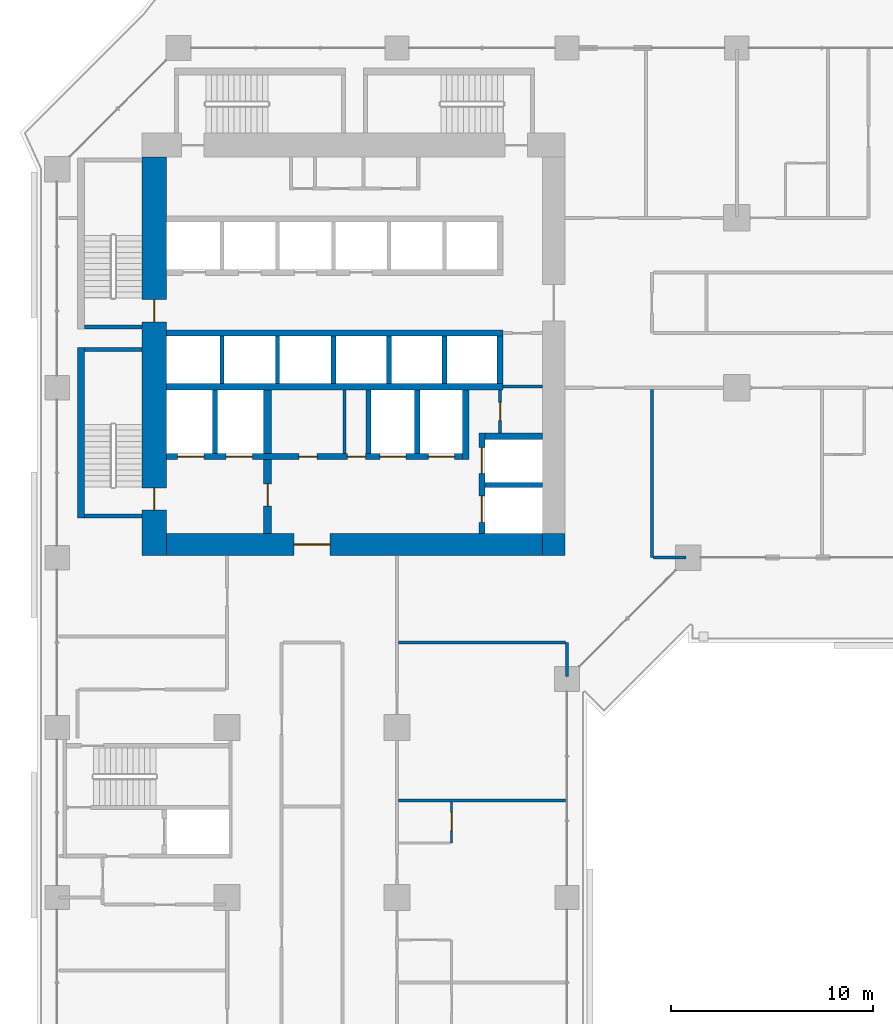
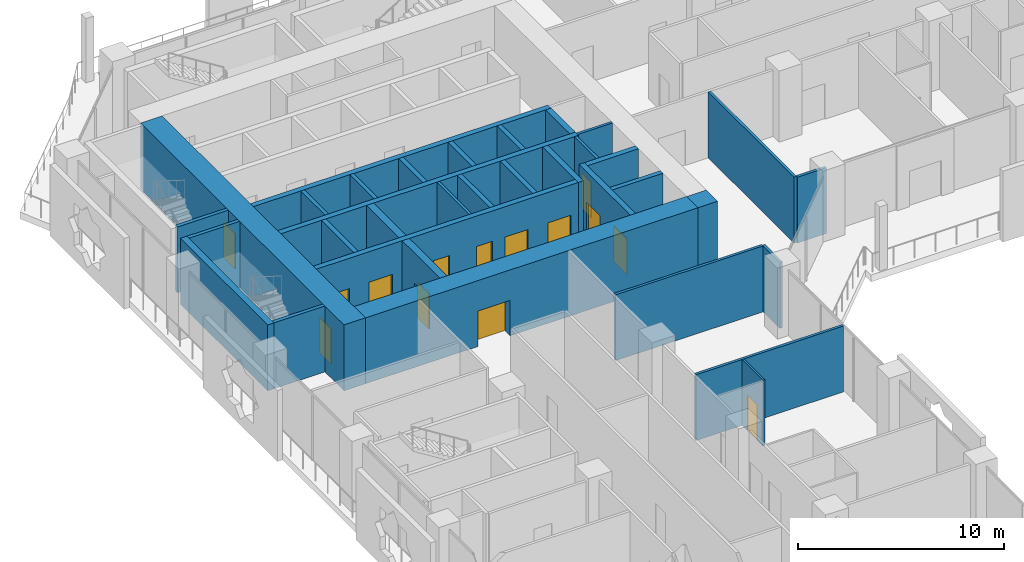
# One storey, part 15 of 26: 34 walls, 14 doors, 14 openings.
"""IFC4 building model written with IfcOpenShell, lengths in metres."""

from ifc_helpers import new_model, si_unit, direction, frame, frame_2d, origin, place, context, subcontext, project, spatial, rectangle, extrude, material, layer, layer_set, type_object, element, fill, save


model = new_model("IFC4")

# Units and contexts
model_context = context("Model", 3, precision=1e-05, world=origin(), true_north=direction((0.0, 1.0)))
body_context = subcontext(model_context, "Body", "Model", "MODEL_VIEW")
ifc_project = project(units=[si_unit("LENGTHUNIT", "METRE"), si_unit("AREAUNIT", "SQUARE_METRE"), si_unit("VOLUMEUNIT", "CUBIC_METRE"), si_unit("PLANEANGLEUNIT", "RADIAN"), si_unit("MASSUNIT", "GRAM", prefix="KILO")], contexts=[model_context])

# Site, building, storey
site_placement = place(None, origin())
site = spatial("IfcSite", under=ifc_project, at=site_placement, CompositionType="ELEMENT")
building_placement = place(site_placement, origin())
building = spatial("IfcBuilding", under=site, at=building_placement, Name="Kawkab Arch Medical Tower", CompositionType="ELEMENT")
storey_placement = place(building_placement, frame((0.0, 0.0, 51.800048828125)))
storey = spatial("IfcBuildingStorey", under=building, at=storey_placement, Name="L11", CompositionType="ELEMENT", Elevation=51.800048828125)

# Wall, opening, door
ifc_material_1 = material(Name="Concrete C60/75", Category="concrete")
ifc_layer_1 = layer(ifc_material_1, 1.10009765625)
ifc_layer_set_1 = layer_set([ifc_layer_1], Name="Concrete C60/75")
wall_type_1 = type_object("IfcWallType", Name="Core ring wall 1100 C60/75", PredefinedType="SHEAR", material=ifc_layer_set_1)
wall_1_placement = place(storey_placement, frame((5.39990234375, -24.550048828125, 0.0), z_axis=(0.0, 0.0, 1.0), x_axis=(1.0, 0.0, 0.0)))
wall_1 = element("IfcWall", 1, at=wall_1_placement, inside=storey, type_object=wall_type_1, Name="L11 core wall", PredefinedType="SHEAR", context=body_context, shape_type="SweptSolid", body=[
    extrude(rectangle(XDim=18.60009765625, YDim=1.10009765625, at=frame_2d((9.300048828125, 0.0))), origin(), (0.0, 0.0, 1.0), 3.89990234375),
])
opening_1_placement = place(wall_1_placement, frame((6.300048828125, 0.0, 0.0)))
opening_1 = element("IfcOpeningElement", 2, at=opening_1_placement, cuts=wall_1, Name="Opening PD", PredefinedType="OPENING", context=body_context, shape_type="SweptSolid", body=[
    extrude(rectangle(XDim=1.800048828125, YDim=2.10009765625, at=frame_2d((0.89990234375, 1.050048828125))), frame((0.0, 0.56005859375, 0.0), z_axis=(0.0, -1.0, 0.0), x_axis=(1.0, 0.0, 0.0)), (0.0, 0.0, 1.0), 1.1201171875),
])
ifc_material_2 = material(Name="Hollow metal fire door leaf")
door_type_1 = type_object("IfcDoorType", Name="Core entrance doors 1800", OperationType="DOUBLE_DOOR_SINGLE_SWING", PredefinedType="DOOR", material=ifc_material_2)
door_1_placement = place(opening_1_placement, origin())
door_1 = element("IfcDoor", 3, at=door_1_placement, inside=storey, type_object=door_type_1, Name="L11 South entrance doors", OperationType="DOUBLE_DOOR_SINGLE_SWING", OverallHeight=2.10009765625, OverallWidth=1.800048828125, PredefinedType="DOOR", context=body_context, shape_type="SweptSolid", body=[
    extrude(rectangle(XDim=1.800048828125, YDim=2.10009765625, at=frame_2d((0.89990234375, 1.050048828125))), frame((0.0, 0.02490234375, 0.0), z_axis=(0.0, -1.0, 0.0), x_axis=(1.0, 0.0, 0.0)), (0.0, 0.0, 1.0), 0.050048828125),
])
fill(opening_1, door_1)

# Wall
wall_2_placement = place(storey_placement, frame((24.550048828125, -25.10009765625, 0.0), z_axis=(0.0, 0.0, 1.0), x_axis=(0.0, 1.0, 0.0)))
element("IfcWall", 4, at=wall_2_placement, inside=storey, type_object=wall_type_1, Name="L11 core wall", PredefinedType="SHEAR", context=body_context, shape_type="SweptSolid", body=[
    extrude(rectangle(XDim=1.10009765625, YDim=1.10009765625, at=frame_2d((0.550048828125, 0.0))), origin(), (0.0, 0.0, 1.0), 3.89990234375),
])

# Wall, openings, doors
ifc_material_3 = material(Name="Concrete C60/75", Category="concrete")
ifc_layer_2 = layer(ifc_material_3, 1.199951171875)
ifc_layer_set_2 = layer_set([ifc_layer_2], Name="Concrete C60/75")
wall_type_2 = type_object("IfcWallType", Name="Core ring wall 1200 C60/75", PredefinedType="SHEAR", material=ifc_layer_set_2)
wall_3_placement = place(storey_placement, frame((4.800048828125, -25.10009765625, 0.0), z_axis=(0.0, 0.0, 1.0), x_axis=(0.0, 1.0, 0.0)))
wall_3 = element("IfcWall", 5, at=wall_3_placement, inside=storey, type_object=wall_type_2, Name="L11 core wall", PredefinedType="SHEAR", context=body_context, shape_type="SweptSolid", body=[
    extrude(rectangle(XDim=19.7001953125, YDim=1.199951171875, at=frame_2d((9.85009765625, 0.0))), origin(), (0.0, 0.0, 1.0), 3.89990234375),
])
opening_2_placement = place(wall_3_placement, frame((11.550048828125, 0.0, 0.0)))
opening_2 = element("IfcOpeningElement", 6, at=opening_2_placement, cuts=wall_3, Name="Opening SD", PredefinedType="OPENING", context=body_context, shape_type="SweptSolid", body=[
    extrude(rectangle(XDim=1.10009765625, YDim=2.10009765625, at=frame_2d((0.550048828125, 1.050048828125))), frame((0.0, 0.60986328125, 0.0), z_axis=(0.0, -1.0, 0.0), x_axis=(1.0, 0.0, 0.0)), (0.0, 0.0, 1.0), 1.219970703125),
])
opening_3_placement = place(wall_3_placement, frame((2.25, 0.0, 0.0)))
opening_3 = element("IfcOpeningElement", 7, at=opening_3_placement, cuts=wall_3, Name="Opening SD", PredefinedType="OPENING", context=body_context, shape_type="SweptSolid", body=[
    extrude(rectangle(XDim=1.10009765625, YDim=2.10009765625, at=frame_2d((0.550048828125, 1.050048828125))), frame((0.0, 0.60986328125, 0.0), z_axis=(0.0, -1.0, 0.0), x_axis=(1.0, 0.0, 0.0)), (0.0, 0.0, 1.0), 1.219970703125),
])
ifc_material_4 = material(Name="Hollow metal fire door leaf")
door_type_2 = type_object("IfcDoorType", Name="Exit stair door 1100", OperationType="SINGLE_SWING_LEFT", PredefinedType="DOOR", material=ifc_material_4)
door_2_placement = place(opening_2_placement, origin())
door_2 = element("IfcDoor", 8, at=door_2_placement, inside=storey, type_object=door_type_2, Name="L11 Exit stair ST1 door", OperationType="SINGLE_SWING_LEFT", OverallHeight=2.10009765625, OverallWidth=1.10009765625, PredefinedType="DOOR", context=body_context, shape_type="SweptSolid", body=[
    extrude(rectangle(XDim=1.10009765625, YDim=2.10009765625, at=frame_2d((0.550048828125, 1.050048828125))), frame((0.0, 0.02490234375, 0.0), z_axis=(0.0, -1.0, 0.0), x_axis=(1.0, 0.0, 0.0)), (0.0, 0.0, 1.0), 0.050048828125),
])
fill(opening_2, door_2)
door_3_placement = place(opening_3_placement, origin())
door_3 = element("IfcDoor", 9, at=door_3_placement, inside=storey, type_object=door_type_2, Name="L11 Exit stair ST2 door", OperationType="SINGLE_SWING_LEFT", OverallHeight=2.10009765625, OverallWidth=1.10009765625, PredefinedType="DOOR", context=body_context, shape_type="SweptSolid", body=[
    extrude(rectangle(XDim=1.10009765625, YDim=2.10009765625, at=frame_2d((0.550048828125, 1.050048828125))), frame((0.0, 0.02490234375, 0.0), z_axis=(0.0, -1.0, 0.0), x_axis=(1.0, 0.0, 0.0)), (0.0, 0.0, 1.0), 0.050048828125),
])
fill(opening_3, door_3)

# Wall, opening, door
ifc_material_5 = material(Name="Gypsum board on steel studs", Category="steel")
ifc_layer_3 = layer(ifc_material_5, 0.14990234375)
ifc_layer_set_3 = layer_set([ifc_layer_3], Name="Gypsum board on steel studs")
wall_type_3 = type_object("IfcWallType", Name="Core room partition 150", PredefinedType="PARTITIONING", material=ifc_layer_set_3)
wall_4_placement = place(storey_placement, frame((21.89990234375, -19.050048828125, 0.0), z_axis=(0.0, 0.0, 1.0), x_axis=(0.0, 1.0, 0.0)))
wall_4 = element("IfcWall", 10, at=wall_4_placement, inside=storey, type_object=wall_type_3, Name="L11 core room partition", PredefinedType="PARTITIONING", context=body_context, shape_type="SweptSolid", body=[
    extrude(rectangle(XDim=2.150146484375, YDim=0.14990234375, at=frame_2d((1.0751953125, 0.0))), origin(), (0.0, 0.0, 1.0), 3.89990234375),
])
opening_4_placement = place(wall_4_placement, frame((0.625, 0.0, 0.0)))
opening_4 = element("IfcOpeningElement", 11, at=opening_4_placement, cuts=wall_4, Name="Opening RD", PredefinedType="OPENING", context=body_context, shape_type="SweptSolid", body=[
    extrude(rectangle(XDim=0.89990234375, YDim=2.10009765625, at=frame_2d((0.449951171875, 1.050048828125))), frame((0.0, 0.0849609375, 0.0), z_axis=(0.0, -1.0, 0.0), x_axis=(1.0, 0.0, 0.0)), (0.0, 0.0, 1.0), 0.169921875),
])
ifc_material_6 = material(Name="Hollow metal fire door leaf")
door_type_3 = type_object("IfcDoorType", Name="Core room door 900", OperationType="SINGLE_SWING_LEFT", PredefinedType="DOOR", material=ifc_material_6)
door_4_placement = place(opening_4_placement, origin())
door_4 = element("IfcDoor", 12, at=door_4_placement, inside=storey, type_object=door_type_3, Name="L11 Accessible WC door", OperationType="SINGLE_SWING_LEFT", OverallHeight=2.10009765625, OverallWidth=0.89990234375, PredefinedType="DOOR", context=body_context, shape_type="SweptSolid", body=[
    extrude(rectangle(XDim=0.89990234375, YDim=2.10009765625, at=frame_2d((0.449951171875, 1.050048828125))), frame((0.0, 0.02490234375, 0.0), z_axis=(0.0, -1.0, 0.0), x_axis=(1.0, 0.0, 0.0)), (0.0, 0.0, 1.0), 0.050048828125),
])
fill(opening_4, door_4)

# Walls
wall_5_placement = place(storey_placement, frame((22.050048828125, -16.75, 0.0), z_axis=(0.0, 0.0, 1.0), x_axis=(1.0, 0.0, 0.0)))
element("IfcWall", 13, at=wall_5_placement, inside=storey, type_object=wall_type_3, Name="L11 core room partition", PredefinedType="PARTITIONING", context=body_context, shape_type="SweptSolid", body=[
    extrude(rectangle(XDim=1.949951171875, YDim=0.14990234375, at=frame_2d((0.97509765625, 0.0))), origin(), (0.0, 0.0, 1.0), 3.89990234375),
])
wall_6_placement = place(storey_placement, frame((14.199951171875, -20.050048828125, 0.0), z_axis=(0.0, 0.0, 1.0), x_axis=(0.0, 1.0, 0.0)))
element("IfcWall", 14, at=wall_6_placement, inside=storey, type_object=wall_type_3, Name="L11 core room partition", PredefinedType="PARTITIONING", context=body_context, shape_type="SweptSolid", body=[
    extrude(rectangle(XDim=3.150146484375, YDim=0.14990234375, at=frame_2d((1.5751953125, 0.0))), origin(), (0.0, 0.0, 1.0), 3.89990234375),
])
ifc_material_7 = material(Name="Concrete C60/75", Category="concrete")
ifc_layer_4 = layer(ifc_material_7, 0.25)
ifc_layer_set_4 = layer_set([ifc_layer_4], Name="Concrete C60/75")
wall_type_4 = type_object("IfcWallType", Name="Core shear wall 250 C60/75", PredefinedType="SHEAR", material=ifc_layer_set_4)
wall_7_placement = place(storey_placement, frame((21.14990234375, -21.60009765625, 0.0), z_axis=(0.0, 0.0, 1.0), x_axis=(1.0, 0.0, 0.0)))
element("IfcWall", 15, at=wall_7_placement, inside=storey, type_object=wall_type_4, Name="L11 core shear wall", PredefinedType="SHEAR", context=body_context, shape_type="SweptSolid", body=[
    extrude(rectangle(XDim=2.85009765625, YDim=0.25, at=frame_2d((1.425048828125, 0.0))), origin(), (0.0, 0.0, 1.0), 3.89990234375),
])
for number, where, z_axis, x_axis, name in (
    (16, (7.800048828125, -20.050048828125, 0.0), (0.0, 0.0, 1.0), (0.0, 1.0, 0.0), "L11 core shear wall"),
    (17, (15.39990234375, -20.050048828125, 0.0), (0.0, 0.0, 1.0), (0.0, 1.0, 0.0), "L11 core shear wall"),
    (18, (17.800048828125, -20.050048828125, 0.0), (0.0, 0.0, 1.0), (0.0, 1.0, 0.0), "L11 core shear wall"),
):
    element("IfcWall", number, at=place(storey_placement, frame(where, z_axis=z_axis, x_axis=x_axis)), inside=storey, type_object=wall_type_4, Name=name, PredefinedType="SHEAR", context=body_context, shape_type="SweptSolid", body=[
        extrude(rectangle(XDim=3.150146484375, YDim=0.25, at=frame_2d((1.5751953125, 0.0))), origin(), (0.0, 0.0, 1.0), 3.89990234375),
    ])
for number, where, z_axis, x_axis, name in (
    (19, (13.64990234375, -16.60009765625, 0.0), (0.0, 0.0, 1.0), (0.0, 1.0, 0.0), "L11 core shear wall"),
    (20, (16.39990234375, -16.60009765625, 0.0), (0.0, 0.0, 1.0), (0.0, 1.0, 0.0), "L11 core shear wall"),
    (21, (19.14990234375, -16.60009765625, 0.0), (0.0, 0.0, 1.0), (0.0, 1.0, 0.0), "L11 core shear wall"),
):
    element("IfcWall", number, at=place(storey_placement, frame(where, z_axis=z_axis, x_axis=x_axis)), inside=storey, type_object=wall_type_4, Name=name, PredefinedType="SHEAR", context=body_context, shape_type="SweptSolid", body=[
        extrude(rectangle(XDim=2.35009765625, YDim=0.25, at=frame_2d((1.175048828125, 0.0))), origin(), (0.0, 0.0, 1.0), 3.89990234375),
    ])
ifc_material_8 = material(Name="Concrete C60/75", Category="concrete")
ifc_layer_5 = layer(ifc_material_8, 0.300048828125)
ifc_layer_set_5 = layer_set([ifc_layer_5], Name="Concrete C60/75")
wall_type_5 = type_object("IfcWallType", Name="Core shear wall 300 C60/75", PredefinedType="SHEAR", material=ifc_layer_set_5)
for number, where, z_axis, x_axis, name in (
    (22, (5.39990234375, -14.10009765625, 0.0), (0.0, 0.0, 1.0), (1.0, 0.0, 0.0), "L11 core shear wall"),
    (23, (5.39990234375, -16.75, 0.0), (0.0, 0.0, 1.0), (1.0, 0.0, 0.0), "L11 core shear wall"),
):
    element("IfcWall", number, at=place(storey_placement, frame(where, z_axis=z_axis, x_axis=x_axis)), inside=storey, type_object=wall_type_5, Name=name, PredefinedType="SHEAR", context=body_context, shape_type="SweptSolid", body=[
        extrude(rectangle(XDim=16.650146484375, YDim=0.300048828125, at=frame_2d((8.3251953125, 0.0))), origin(), (0.0, 0.0, 1.0), 3.89990234375),
    ])

# Wall, openings, doors
wall_8_placement = place(storey_placement, frame((5.39990234375, -20.199951171875, 0.0), z_axis=(0.0, 0.0, 1.0), x_axis=(1.0, 0.0, 0.0)))
wall_8 = element("IfcWall", 24, at=wall_8_placement, inside=storey, type_object=wall_type_5, Name="L11 core shear wall", PredefinedType="SHEAR", context=body_context, shape_type="SweptSolid", body=[
    extrude(rectangle(XDim=14.650146484375, YDim=0.300048828125, at=frame_2d((7.3251953125, 0.0))), origin(), (0.0, 0.0, 1.0), 3.89990234375),
])
opening_5_placement = place(wall_8_placement, frame((10.550048828125, 0.0, 0.0)))
opening_5 = element("IfcOpeningElement", 25, at=opening_5_placement, cuts=wall_8, Name="Opening LD2", PredefinedType="OPENING", context=body_context, shape_type="SweptSolid", body=[
    extrude(rectangle(XDim=1.300048828125, YDim=2.10009765625, at=frame_2d((0.64990234375, 1.050048828125))), frame((0.0, 0.159912109375, 0.0), z_axis=(0.0, -1.0, 0.0), x_axis=(1.0, 0.0, 0.0)), (0.0, 0.0, 1.0), 0.320068359375),
])
opening_6_placement = place(wall_8_placement, frame((12.949951171875, 0.0, 0.0)))
opening_6 = element("IfcOpeningElement", 26, at=opening_6_placement, cuts=wall_8, Name="Opening LD2", PredefinedType="OPENING", context=body_context, shape_type="SweptSolid", body=[
    extrude(rectangle(XDim=1.300048828125, YDim=2.10009765625, at=frame_2d((0.64990234375, 1.050048828125))), frame((0.0, 0.159912109375, 0.0), z_axis=(0.0, -1.0, 0.0), x_axis=(1.0, 0.0, 0.0)), (0.0, 0.0, 1.0), 0.320068359375),
])
opening_7_placement = place(wall_8_placement, frame((0.550048828125, 0.0, 0.0)))
opening_7 = element("IfcOpeningElement", 27, at=opening_7_placement, cuts=wall_8, Name="Opening LD2", PredefinedType="OPENING", context=body_context, shape_type="SweptSolid", body=[
    extrude(rectangle(XDim=1.300048828125, YDim=2.10009765625, at=frame_2d((0.64990234375, 1.050048828125))), frame((0.0, 0.159912109375, 0.0), z_axis=(0.0, -1.0, 0.0), x_axis=(1.0, 0.0, 0.0)), (0.0, 0.0, 1.0), 0.320068359375),
])
opening_8_placement = place(wall_8_placement, frame((2.949951171875, 0.0, 0.0)))
opening_8 = element("IfcOpeningElement", 28, at=opening_8_placement, cuts=wall_8, Name="Opening LD2", PredefinedType="OPENING", context=body_context, shape_type="SweptSolid", body=[
    extrude(rectangle(XDim=1.300048828125, YDim=2.10009765625, at=frame_2d((0.64990234375, 1.050048828125))), frame((0.0, 0.159912109375, 0.0), z_axis=(0.0, -1.0, 0.0), x_axis=(1.0, 0.0, 0.0)), (0.0, 0.0, 1.0), 0.320068359375),
])
opening_9_placement = place(wall_8_placement, frame((6.550048828125, 0.0, 0.0)))
opening_9 = element("IfcOpeningElement", 29, at=opening_9_placement, cuts=wall_8, Name="Opening RD", PredefinedType="OPENING", context=body_context, shape_type="SweptSolid", body=[
    extrude(rectangle(XDim=0.89990234375, YDim=2.10009765625, at=frame_2d((0.449951171875, 1.050048828125))), frame((0.0, 0.159912109375, 0.0), z_axis=(0.0, -1.0, 0.0), x_axis=(1.0, 0.0, 0.0)), (0.0, 0.0, 1.0), 0.320068359375),
])
opening_10_placement = place(wall_8_placement, frame((8.949951171875, 0.0, 0.0)))
opening_10 = element("IfcOpeningElement", 30, at=opening_10_placement, cuts=wall_8, Name="Opening RD", PredefinedType="OPENING", context=body_context, shape_type="SweptSolid", body=[
    extrude(rectangle(XDim=0.89990234375, YDim=2.10009765625, at=frame_2d((0.449951171875, 1.050048828125))), frame((0.0, 0.159912109375, 0.0), z_axis=(0.0, -1.0, 0.0), x_axis=(1.0, 0.0, 0.0)), (0.0, 0.0, 1.0), 0.320068359375),
])
door_5_placement = place(opening_9_placement, origin())
door_5 = element("IfcDoor", 31, at=door_5_placement, inside=storey, type_object=door_type_3, Name="L11 Ward pantry door", OperationType="SINGLE_SWING_LEFT", OverallHeight=2.10009765625, OverallWidth=0.89990234375, PredefinedType="DOOR", context=body_context, shape_type="SweptSolid", body=[
    extrude(rectangle(XDim=0.89990234375, YDim=2.10009765625, at=frame_2d((0.449951171875, 1.050048828125))), frame((0.0, 0.02490234375, 0.0), z_axis=(0.0, -1.0, 0.0), x_axis=(1.0, 0.0, 0.0)), (0.0, 0.0, 1.0), 0.050048828125),
])
fill(opening_9, door_5)
door_6_placement = place(opening_10_placement, origin())
door_6 = element("IfcDoor", 32, at=door_6_placement, inside=storey, type_object=door_type_3, Name="L11 Linen store door", OperationType="SINGLE_SWING_LEFT", OverallHeight=2.10009765625, OverallWidth=0.89990234375, PredefinedType="DOOR", context=body_context, shape_type="SweptSolid", body=[
    extrude(rectangle(XDim=0.89990234375, YDim=2.10009765625, at=frame_2d((0.449951171875, 1.050048828125))), frame((0.0, 0.02490234375, 0.0), z_axis=(0.0, -1.0, 0.0), x_axis=(1.0, 0.0, 0.0)), (0.0, 0.0, 1.0), 0.050048828125),
])
fill(opening_10, door_6)
ifc_material_9 = material(Name="Stainless steel lift door leaf", Category="steel")
door_type_4 = type_object("IfcDoorType", Name="Lift landing door 1300", OperationType="DOUBLE_DOOR_SLIDING", PredefinedType="DOOR", material=ifc_material_9)
door_7_placement = place(opening_5_placement, origin())
door_7 = element("IfcDoor", 33, at=door_7_placement, inside=storey, type_object=door_type_4, Name="L11 Lift landing door BD3", OperationType="DOUBLE_DOOR_SLIDING", OverallHeight=2.10009765625, OverallWidth=1.300048828125, PredefinedType="DOOR", context=body_context, shape_type="SweptSolid", body=[
    extrude(rectangle(XDim=1.300048828125, YDim=2.10009765625, at=frame_2d((0.64990234375, 1.050048828125))), frame((0.0, 0.02490234375, 0.0), z_axis=(0.0, -1.0, 0.0), x_axis=(1.0, 0.0, 0.0)), (0.0, 0.0, 1.0), 0.050048828125),
])
fill(opening_5, door_7)
door_8_placement = place(opening_6_placement, origin())
door_8 = element("IfcDoor", 34, at=door_8_placement, inside=storey, type_object=door_type_4, Name="L11 Lift landing door BD4", OperationType="DOUBLE_DOOR_SLIDING", OverallHeight=2.10009765625, OverallWidth=1.300048828125, PredefinedType="DOOR", context=body_context, shape_type="SweptSolid", body=[
    extrude(rectangle(XDim=1.300048828125, YDim=2.10009765625, at=frame_2d((0.64990234375, 1.050048828125))), frame((0.0, 0.02490234375, 0.0), z_axis=(0.0, -1.0, 0.0), x_axis=(1.0, 0.0, 0.0)), (0.0, 0.0, 1.0), 0.050048828125),
])
fill(opening_6, door_8)
door_9_placement = place(opening_7_placement, origin())
door_9 = element("IfcDoor", 35, at=door_9_placement, inside=storey, type_object=door_type_4, Name="L11 Lift landing door FL1", OperationType="DOUBLE_DOOR_SLIDING", OverallHeight=2.10009765625, OverallWidth=1.300048828125, PredefinedType="DOOR", context=body_context, shape_type="SweptSolid", body=[
    extrude(rectangle(XDim=1.300048828125, YDim=2.10009765625, at=frame_2d((0.64990234375, 1.050048828125))), frame((0.0, 0.02490234375, 0.0), z_axis=(0.0, -1.0, 0.0), x_axis=(1.0, 0.0, 0.0)), (0.0, 0.0, 1.0), 0.050048828125),
])
fill(opening_7, door_9)
door_10_placement = place(opening_8_placement, origin())
door_10 = element("IfcDoor", 36, at=door_10_placement, inside=storey, type_object=door_type_4, Name="L11 Lift landing door FL2", OperationType="DOUBLE_DOOR_SLIDING", OverallHeight=2.10009765625, OverallWidth=1.300048828125, PredefinedType="DOOR", context=body_context, shape_type="SweptSolid", body=[
    extrude(rectangle(XDim=1.300048828125, YDim=2.10009765625, at=frame_2d((0.64990234375, 1.050048828125))), frame((0.0, 0.02490234375, 0.0), z_axis=(0.0, -1.0, 0.0), x_axis=(1.0, 0.0, 0.0)), (0.0, 0.0, 1.0), 0.050048828125),
])
fill(opening_8, door_10)

# Walls
wall_9_placement = place(storey_placement, frame((20.199951171875, -20.35009765625, 0.0), z_axis=(0.0, 0.0, 1.0), x_axis=(0.0, 1.0, 0.0)))
element("IfcWall", 37, at=wall_9_placement, inside=storey, type_object=wall_type_5, Name="L11 core shear wall", PredefinedType="SHEAR", context=body_context, shape_type="SweptSolid", body=[
    extrude(rectangle(XDim=3.4501953125, YDim=0.300048828125, at=frame_2d((1.72509765625, 0.0))), origin(), (0.0, 0.0, 1.0), 3.89990234375),
])
wall_10_placement = place(storey_placement, frame((21.89990234375, -16.60009765625, 0.0), z_axis=(0.0, 0.0, 1.0), x_axis=(0.0, 1.0, 0.0)))
element("IfcWall", 38, at=wall_10_placement, inside=storey, type_object=wall_type_5, Name="L11 core shear wall", PredefinedType="SHEAR", context=body_context, shape_type="SweptSolid", body=[
    extrude(rectangle(XDim=2.35009765625, YDim=0.300048828125, at=frame_2d((1.175048828125, 0.0))), origin(), (0.0, 0.0, 1.0), 3.89990234375),
])
wall_11_placement = place(storey_placement, frame((21.14990234375, -19.199951171875, 0.0), z_axis=(0.0, 0.0, 1.0), x_axis=(1.0, 0.0, 0.0)))
element("IfcWall", 39, at=wall_11_placement, inside=storey, type_object=wall_type_5, Name="L11 core shear wall", PredefinedType="SHEAR", context=body_context, shape_type="SweptSolid", body=[
    extrude(rectangle(XDim=2.85009765625, YDim=0.300048828125, at=frame_2d((1.425048828125, 0.0))), origin(), (0.0, 0.0, 1.0), 3.89990234375),
])

# Wall, openings, doors
wall_12_placement = place(storey_placement, frame((21.0, -24.0, 0.0), z_axis=(0.0, 0.0, 1.0), x_axis=(0.0, 1.0, 0.0)))
wall_12 = element("IfcWall", 40, at=wall_12_placement, inside=storey, type_object=wall_type_5, Name="L11 core shear wall", PredefinedType="SHEAR", context=body_context, shape_type="SweptSolid", body=[
    extrude(rectangle(XDim=4.949951171875, YDim=0.300048828125, at=frame_2d((2.47509765625, 0.0))), origin(), (0.0, 0.0, 1.0), 3.89990234375),
])
opening_11_placement = place(wall_12_placement, frame((2.949951171875, 0.0, 0.0)))
opening_11 = element("IfcOpeningElement", 41, at=opening_11_placement, cuts=wall_12, Name="Opening LD2", PredefinedType="OPENING", context=body_context, shape_type="SweptSolid", body=[
    extrude(rectangle(XDim=1.300048828125, YDim=2.10009765625, at=frame_2d((0.64990234375, 1.050048828125))), frame((0.0, 0.159912109375, 0.0), z_axis=(0.0, -1.0, 0.0), x_axis=(1.0, 0.0, 0.0)), (0.0, 0.0, 1.0), 0.320068359375),
])
opening_12_placement = place(wall_12_placement, frame((0.550048828125, 0.0, 0.0)))
opening_12 = element("IfcOpeningElement", 42, at=opening_12_placement, cuts=wall_12, Name="Opening LD2", PredefinedType="OPENING", context=body_context, shape_type="SweptSolid", body=[
    extrude(rectangle(XDim=1.300048828125, YDim=2.10009765625, at=frame_2d((0.64990234375, 1.050048828125))), frame((0.0, 0.159912109375, 0.0), z_axis=(0.0, -1.0, 0.0), x_axis=(1.0, 0.0, 0.0)), (0.0, 0.0, 1.0), 0.320068359375),
])
door_11_placement = place(opening_11_placement, origin())
door_11 = element("IfcDoor", 43, at=door_11_placement, inside=storey, type_object=door_type_4, Name="L11 Lift landing door BD1", OperationType="DOUBLE_DOOR_SLIDING", OverallHeight=2.10009765625, OverallWidth=1.300048828125, PredefinedType="DOOR", context=body_context, shape_type="SweptSolid", body=[
    extrude(rectangle(XDim=1.300048828125, YDim=2.10009765625, at=frame_2d((0.64990234375, 1.050048828125))), frame((0.0, 0.02490234375, 0.0), z_axis=(0.0, -1.0, 0.0), x_axis=(1.0, 0.0, 0.0)), (0.0, 0.0, 1.0), 0.050048828125),
])
fill(opening_11, door_11)
door_12_placement = place(opening_12_placement, origin())
door_12 = element("IfcDoor", 44, at=door_12_placement, inside=storey, type_object=door_type_4, Name="L11 Lift landing door BD2", OperationType="DOUBLE_DOOR_SLIDING", OverallHeight=2.10009765625, OverallWidth=1.300048828125, PredefinedType="DOOR", context=body_context, shape_type="SweptSolid", body=[
    extrude(rectangle(XDim=1.300048828125, YDim=2.10009765625, at=frame_2d((0.64990234375, 1.050048828125))), frame((0.0, 0.02490234375, 0.0), z_axis=(0.0, -1.0, 0.0), x_axis=(1.0, 0.0, 0.0)), (0.0, 0.0, 1.0), 0.050048828125),
])
fill(opening_12, door_12)

# Wall, opening, door
ifc_material_10 = material(Name="Concrete C60/75", Category="concrete")
ifc_layer_6 = layer(ifc_material_10, 0.39990234375)
ifc_layer_set_6 = layer_set([ifc_layer_6], Name="Concrete C60/75")
wall_type_6 = type_object("IfcWallType", Name="Core shear wall 400 C60/75", PredefinedType="SHEAR", material=ifc_layer_set_6)
wall_13_placement = place(storey_placement, frame((10.39990234375, -24.0, 0.0), z_axis=(0.0, 0.0, 1.0), x_axis=(0.0, 1.0, 0.0)))
wall_13 = element("IfcWall", 45, at=wall_13_placement, inside=storey, type_object=wall_type_6, Name="L11 core shear wall", PredefinedType="SHEAR", context=body_context, shape_type="SweptSolid", body=[
    extrude(rectangle(XDim=3.64990234375, YDim=0.39990234375, at=frame_2d((1.824951171875, 0.0))), origin(), (0.0, 0.0, 1.0), 3.89990234375),
])
opening_13_placement = place(wall_13_placement, frame((1.35009765625, 0.0, 0.0)))
opening_13 = element("IfcOpeningElement", 46, at=opening_13_placement, cuts=wall_13, Name="Opening FD", PredefinedType="OPENING", context=body_context, shape_type="SweptSolid", body=[
    extrude(rectangle(XDim=1.10009765625, YDim=2.10009765625, at=frame_2d((0.550048828125, 1.050048828125))), frame((0.0, 0.2099609375, 0.0), z_axis=(0.0, -1.0, 0.0), x_axis=(1.0, 0.0, 0.0)), (0.0, 0.0, 1.0), 0.419921875),
])
ifc_material_11 = material(Name="Hollow metal fire door leaf")
door_type_5 = type_object("IfcDoorType", Name="Firefighting lobby door 1100", OperationType="SINGLE_SWING_LEFT", PredefinedType="DOOR", material=ifc_material_11)
door_13_placement = place(opening_13_placement, origin())
door_13 = element("IfcDoor", 47, at=door_13_placement, inside=storey, type_object=door_type_5, Name="L11 Firefighting lobby door", OperationType="SINGLE_SWING_LEFT", OverallHeight=2.10009765625, OverallWidth=1.10009765625, PredefinedType="DOOR", context=body_context, shape_type="SweptSolid", body=[
    extrude(rectangle(XDim=1.10009765625, YDim=2.10009765625, at=frame_2d((0.550048828125, 1.050048828125))), frame((0.0, 0.02490234375, 0.0), z_axis=(0.0, -1.0, 0.0), x_axis=(1.0, 0.0, 0.0)), (0.0, 0.0, 1.0), 0.050048828125),
])
fill(opening_13, door_13)

# Walls
wall_14_placement = place(storey_placement, frame((10.39990234375, -20.050048828125, 0.0), z_axis=(0.0, 0.0, 1.0), x_axis=(0.0, 1.0, 0.0)))
element("IfcWall", 48, at=wall_14_placement, inside=storey, type_object=wall_type_6, Name="L11 core shear wall", PredefinedType="SHEAR", context=body_context, shape_type="SweptSolid", body=[
    extrude(rectangle(XDim=3.150146484375, YDim=0.39990234375, at=frame_2d((1.5751953125, 0.0))), origin(), (0.0, 0.0, 1.0), 3.89990234375),
])
ifc_material_12 = material(Name="Dense concrete blockwork", Category="masonry")
ifc_layer_7 = layer(ifc_material_12, 0.199951171875)
ifc_layer_set_7 = layer_set([ifc_layer_7], Name="Dense concrete blockwork")
wall_type_7 = type_object("IfcWallType", Name="Lift shaft partition 200", PredefinedType="PARTITIONING", material=ifc_layer_set_7)
for number, where, z_axis, x_axis, name in (
    (49, (8.14990234375, -16.60009765625, 0.0), (0.0, 0.0, 1.0), (0.0, 1.0, 0.0), "L11 lift shaft partition"),
    (50, (10.89990234375, -16.60009765625, 0.0), (0.0, 0.0, 1.0), (0.0, 1.0, 0.0), "L11 lift shaft partition"),
):
    element("IfcWall", number, at=place(storey_placement, frame(where, z_axis=z_axis, x_axis=x_axis)), inside=storey, type_object=wall_type_7, Name=name, PredefinedType="PARTITIONING", context=body_context, shape_type="SweptSolid", body=[
        extrude(rectangle(XDim=2.35009765625, YDim=0.199951171875, at=frame_2d((1.175048828125, 0.0))), origin(), (0.0, 0.0, 1.0), 3.89990234375),
    ])

# Wall, opening, door
ifc_material_13 = material(Name="Gypsum board partition on steel studs", Category="steel")
ifc_layer_8 = layer(ifc_material_13, 0.10009765625)
ifc_layer_set_8 = layer_set([ifc_layer_8], Name="Gypsum board partition on steel studs")
wall_type_8 = type_object("IfcWallType", Name="Partition 100", PredefinedType="PARTITIONING", material=ifc_layer_set_8)
wall_15_placement = place(storey_placement, frame((19.5, -39.300048828125, 0.0), z_axis=(0.0, 0.0, 1.0), x_axis=(0.0, 1.0, 0.0)))
wall_15 = element("IfcWall", 51, at=wall_15_placement, inside=storey, type_object=wall_type_8, Name="Partition 100 w025", PredefinedType="PARTITIONING", context=body_context, shape_type="SweptSolid", body=[
    extrude(rectangle(XDim=2.025146484375, YDim=0.10009765625, at=frame_2d((1.0126953125, 0.0))), origin(), (0.0, 0.0, 1.0), 3.89990234375),
])
opening_14_placement = place(wall_15_placement, frame((0.60009765625, 0.0, 0.0)))
opening_14 = element("IfcOpeningElement", 52, at=opening_14_placement, cuts=wall_15, Name="Opening W11-022", PredefinedType="OPENING", context=body_context, shape_type="SweptSolid", body=[
    extrude(rectangle(XDim=0.89990234375, YDim=2.10009765625, at=frame_2d((0.449951171875, 1.050048828125))), frame((0.0, 0.06005859375, 0.0), z_axis=(0.0, -1.0, 0.0), x_axis=(1.0, 0.0, 0.0)), (0.0, 0.0, 1.0), 0.1201171875),
])
ifc_material_14 = material(Name="Timber door leaf", Category="wood")
door_type_6 = type_object("IfcDoorType", Name="Single door 900x2100", OperationType="NOTDEFINED", PredefinedType="DOOR", material=ifc_material_14)
door_14_placement = place(opening_14_placement, origin())
door_14 = element("IfcDoor", 53, at=door_14_placement, inside=storey, type_object=door_type_6, Name="Door W11-022", OperationType="SINGLE_SWING_RIGHT", OverallHeight=2.10009765625, OverallWidth=0.89990234375, PredefinedType="DOOR", context=body_context, shape_type="SweptSolid", body=[
    extrude(rectangle(XDim=0.89990234375, YDim=2.10009765625, at=frame_2d((0.449951171875, 1.050048828125))), frame((0.0, 0.02490234375, 0.0), z_axis=(0.0, -1.0, 0.0), x_axis=(1.0, 0.0, 0.0)), (0.0, 0.0, 1.0), 0.050048828125),
])
fill(opening_14, door_14)

# Walls
ifc_material_15 = material(Name="Gypsum board partition on steel studs, mineral wool", Category="steel")
ifc_layer_9 = layer(ifc_material_15, 0.14990234375)
ifc_layer_set_9 = layer_set([ifc_layer_9], Name="Gypsum board partition on steel studs, mineral wool")
wall_type_9 = type_object("IfcWallType", Name="Partition 150", PredefinedType="PARTITIONING", material=ifc_layer_set_9)
wall_16_placement = place(storey_placement, frame((16.875, -37.199951171875, 0.0), z_axis=(0.0, 0.0, 1.0), x_axis=(1.0, 0.0, 0.0)))
element("IfcWall", 54, at=wall_16_placement, inside=storey, type_object=wall_type_9, Name="Partition 150 w056", PredefinedType="PARTITIONING", context=body_context, shape_type="SweptSolid", body=[
    extrude(rectangle(XDim=8.2451171875, YDim=0.14990234375, at=frame_2d((4.12255859375, 0.0))), origin(), (0.0, 0.0, 1.0), 3.89990234375),
])
wall_17_placement = place(storey_placement, frame((16.875, -29.39990234375, 0.0), z_axis=(0.0, 0.0, 1.0), x_axis=(1.0, 0.0, 0.0)))
element("IfcWall", 55, at=wall_17_placement, inside=storey, type_object=wall_type_9, Name="Partition 150 w059", PredefinedType="PARTITIONING", context=body_context, shape_type="SweptSolid", body=[
    extrude(rectangle(XDim=8.25, YDim=0.14990234375, at=frame_2d((4.125, 0.0))), origin(), (0.0, 0.0, 1.0), 3.89990234375),
])
wall_18_placement = place(storey_placement, frame((29.47509765625, -25.199951171875, 0.0), z_axis=(0.0, 0.0, 1.0), x_axis=(1.0, 0.0, 0.0)))
element("IfcWall", 56, at=wall_18_placement, inside=storey, type_object=wall_type_9, Name="Partition 150 w061", PredefinedType="PARTITIONING", context=body_context, shape_type="SweptSolid", body=[
    extrude(rectangle(XDim=1.61181640625, YDim=0.14990234375, at=frame_2d((0.805908203125, 0.0))), origin(), (0.0, 0.0, 1.0), 3.89990234375),
])
wall_19_placement = place(storey_placement, frame((25.199951171875, -31.0869140625, 0.0), z_axis=(0.0, 0.0, 1.0), x_axis=(0.0, 1.0, 0.0)))
element("IfcWall", 57, at=wall_19_placement, inside=storey, type_object=wall_type_9, Name="Partition 150 w078", PredefinedType="PARTITIONING", context=body_context, shape_type="SweptSolid", body=[
    extrude(rectangle(XDim=1.68701171875, YDim=0.14990234375, at=frame_2d((0.843505859375, 0.0))), origin(), (0.0, 0.0, 1.0), 3.89990234375),
])
wall_20_placement = place(storey_placement, frame((29.39990234375, -25.199951171875, 0.0), z_axis=(0.0, 0.0, 1.0), x_axis=(0.0, 1.0, 0.0)))
element("IfcWall", 58, at=wall_20_placement, inside=storey, type_object=wall_type_9, Name="Partition 150 w080", PredefinedType="PARTITIONING", context=body_context, shape_type="SweptSolid", body=[
    extrude(rectangle(XDim=8.324951171875, YDim=0.14990234375, at=frame_2d((4.16259765625, 0.0))), origin(), (0.0, 0.0, 1.0), 3.89990234375),
])
ifc_material_16 = material(Name="Concrete C50/60", Category="concrete")
ifc_layer_10 = layer(ifc_material_16, 0.199951171875)
ifc_layer_set_10 = layer_set([ifc_layer_10], Name="Concrete C50/60")
wall_type_10 = type_object("IfcWallType", Name="Stair enclosure wall 200 C50/60", PredefinedType="SHEAR", material=ifc_layer_set_10)
for number, where, z_axis, x_axis, name in (
    (59, (1.35009765625, -13.800048828125, 0.0), (0.0, 0.0, 1.0), (1.0, 0.0, 0.0), "L11 stair enclosure wall"),
    (60, (1.35009765625, -14.89990234375, 0.0), (0.0, 0.0, 1.0), (1.0, 0.0, 0.0), "L11 stair enclosure wall"),
    (61, (1.35009765625, -23.14990234375, 0.0), (0.0, 0.0, 1.0), (1.0, 0.0, 0.0), "L11 stair enclosure wall"),
):
    element("IfcWall", number, at=place(storey_placement, frame(where, z_axis=z_axis, x_axis=x_axis)), inside=storey, type_object=wall_type_10, Name=name, PredefinedType="SHEAR", context=body_context, shape_type="SweptSolid", body=[
        extrude(rectangle(XDim=2.849853515625, YDim=0.199951171875, at=frame_2d((1.4248046875, 0.0))), origin(), (0.0, 0.0, 1.0), 3.89990234375),
    ])
ifc_material_17 = material(Name="Concrete C50/60", Category="concrete")
ifc_layer_11 = layer(ifc_material_17, 0.35009765625)
ifc_layer_set_11 = layer_set([ifc_layer_11], Name="Concrete C50/60")
wall_type_11 = type_object("IfcWallType", Name="Stair enclosure wall 350 C50/60", PredefinedType="SHEAR", material=ifc_layer_set_11)
wall_21_placement = place(storey_placement, frame((1.175048828125, -23.25, 0.0), z_axis=(0.0, 0.0, 1.0), x_axis=(0.0, 1.0, 0.0)))
element("IfcWall", 62, at=wall_21_placement, inside=storey, type_object=wall_type_11, Name="L11 stair enclosure wall", PredefinedType="SHEAR", context=body_context, shape_type="SweptSolid", body=[
    extrude(rectangle(XDim=8.449951171875, YDim=0.35009765625, at=frame_2d((4.22509765625, 0.0))), origin(), (0.0, 0.0, 1.0), 3.89990234375),
])

save(model, "model.ifc")
